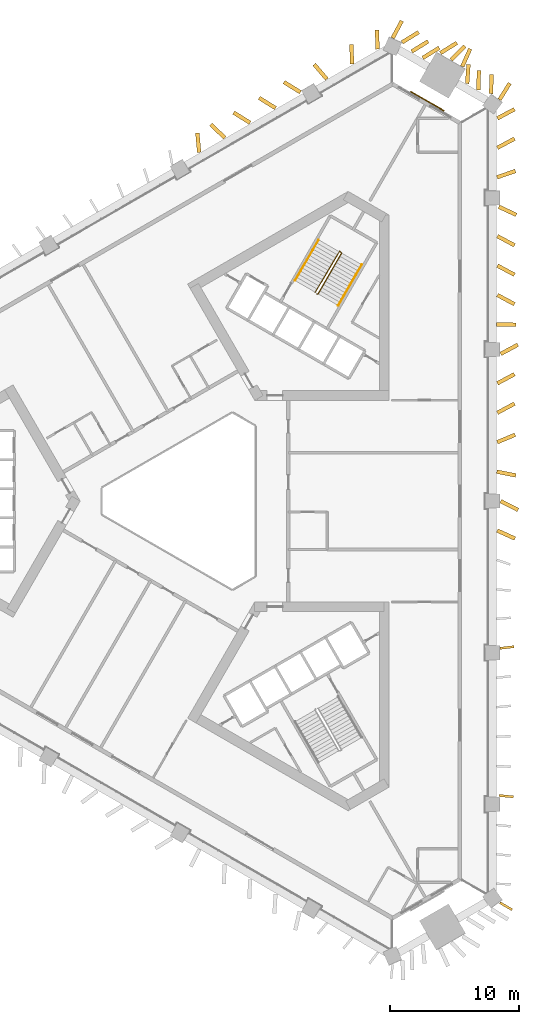
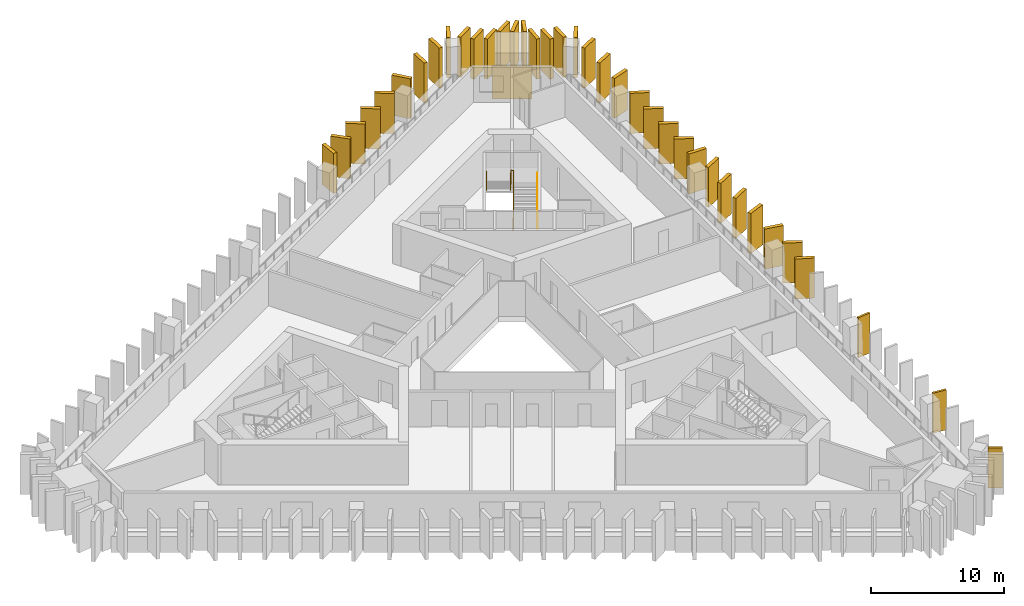
# One storey, part 10 of 10: 37 shading devices, 3 railings, 1 covering.
"""IFC4 building model written with IfcOpenShell, lengths in metres."""

from ifc_helpers import new_model, si_unit, direction, frame, frame_2d, origin, origin_2d, place, context, subcontext, project, spatial, rectangle, circle, extrude, material, layer, layer_set, type_object, element, save


model = new_model("IFC4")

# Units and contexts
model_context = context("Model", 3, precision=1e-05, world=origin(), true_north=direction((0.0, 1.0)))
body_context = subcontext(model_context, "Body", "Model", "MODEL_VIEW")
ifc_project = project(units=[si_unit("LENGTHUNIT", "METRE"), si_unit("AREAUNIT", "SQUARE_METRE"), si_unit("VOLUMEUNIT", "CUBIC_METRE"), si_unit("PLANEANGLEUNIT", "RADIAN"), si_unit("MASSUNIT", "GRAM", prefix="KILO")], contexts=[model_context])

# Site, building, storey
site_placement = place(None, origin())
site = spatial("IfcSite", under=ifc_project, at=site_placement, CompositionType="ELEMENT")
building_placement = place(site_placement, origin())
building = spatial("IfcBuilding", under=site, at=building_placement, Name="Jabali Bay Hotel Tower and Convention Centre", CompositionType="ELEMENT")
storey_placement = place(building_placement, frame((0.0, 0.0, 86.89990234375)))
storey = spatial("IfcBuildingStorey", under=building, at=storey_placement, Name="L20", CompositionType="ELEMENT", Elevation=86.89990234375)

# Shading devices
ifc_material_1 = material(Name="Precast concrete C60", Category="concrete")
ifc_layer_1 = layer(ifc_material_1, 0.179931640625)
ifc_layer_set_1 = layer_set([ifc_layer_1], Name="Precast concrete C60")
shading_device_type_1 = type_object("IfcShadingDeviceType", Name="Precast fin 3680 x 1100", PredefinedType="USERDEFINED", material=ifc_layer_set_1)
for number, where, z_axis, x_axis, name in (
    (1, (98.40185546875, 57.234619140625, 0.010009765625), (0.0, 0.0, 1.0), (0.995263116991, -0.097217940509, 0.0), "Fin L20 003"),
    (2, (98.46142578125, 68.6171875, 0.010009765625), (0.0, 0.0, 1.0), (0.99349613467, 0.113865843853, 0.0), "Fin L20 008"),
    (3, (98.453125, 48.947998046875, 0.010009765625), (0.0, 0.0, 1.0), (0.866104278045, -0.499863360881, 0.0), "Fin L20 108"),
):
    element("IfcShadingDevice", number, at=place(storey_placement, frame(where, z_axis=z_axis, x_axis=x_axis)), inside=storey, type_object=shading_device_type_1, Name=name, ObjectType="FIN", PredefinedType="USERDEFINED", context=body_context, shape_type="SweptSolid", body=[
        extrude(rectangle(XDim=1.099853515625, YDim=0.179931640625, at=frame_2d((0.5498046875, 0.0))), origin(), (0.0, 0.0, 1.0), 3.68017578125),
    ])
ifc_layer_2 = layer(ifc_material_1, 0.300048828125)
ifc_layer_set_2 = layer_set([ifc_layer_2], Name="Precast concrete C60")
shading_device_type_2 = type_object("IfcShadingDeviceType", Name="Precast fin 3680 x 1500", PredefinedType="USERDEFINED", material=ifc_layer_set_2)
shading_device_1_placement = place(storey_placement, frame((98.255615234375, 77.723388671875, 0.010009765625), z_axis=(0.0, 0.0, 1.0), x_axis=(0.910622699958, -0.413238790919, 0.0)))
element("IfcShadingDevice", 4, at=shading_device_1_placement, inside=storey, type_object=shading_device_type_2, Name="Fin L20 012", ObjectType="FIN", PredefinedType="USERDEFINED", context=body_context, shape_type="SweptSolid", body=[
    extrude(rectangle(XDim=1.5, YDim=0.300048828125, at=frame_2d((0.75, 0.0))), origin(), (0.0, 0.0, 1.0), 3.68017578125),
])
shading_device_2_placement = place(storey_placement, frame((98.51953125, 80.0, 0.010009765625), z_axis=(0.0, 0.0, 1.0), x_axis=(0.890254302977, -0.455463803205, 0.0)))
element("IfcShadingDevice", 5, at=shading_device_2_placement, inside=storey, type_object=shading_device_type_2, Name="Fin L20 013", ObjectType="FIN", PredefinedType="USERDEFINED", context=body_context, shape_type="SweptSolid", body=[
    extrude(rectangle(XDim=1.499755859375, YDim=0.300048828125, at=frame_2d((0.75, 0.0))), origin(), (0.0, 0.0, 1.0), 3.68017578125),
])
for number, where, z_axis, x_axis, name in (
    (6, (98.222900390625, 82.276611328125, 0.010009765625), (0.0, 0.0, 1.0), (0.980836507587, -0.194832608626, 0.0), "Fin L20 014"),
    (7, (98.25146484375, 84.552978515625, 0.010009765625), (0.0, 0.0, 1.0), (0.922618842223, 0.38571293986, 0.0), "Fin L20 015"),
    (8, (98.2646484375, 86.82958984375, 0.010009765625), (0.0, 0.0, 1.0), (0.881233033926, 0.472682070654, 0.0), "Fin L20 016"),
):
    element("IfcShadingDevice", number, at=place(storey_placement, frame(where, z_axis=z_axis, x_axis=x_axis)), inside=storey, type_object=shading_device_type_2, Name=name, ObjectType="FIN", PredefinedType="USERDEFINED", context=body_context, shape_type="SweptSolid", body=[
        extrude(rectangle(XDim=1.5, YDim=0.300048828125, at=frame_2d((0.75, 0.0))), origin(), (0.0, 0.0, 1.0), 3.68017578125),
    ])
shading_device_3_placement = place(storey_placement, frame((98.2646484375, 89.106201171875, 0.010009765625), z_axis=(0.0, 0.0, 1.0), x_axis=(0.881128837898, 0.472876274542, 0.0)))
element("IfcShadingDevice", 9, at=shading_device_3_placement, inside=storey, type_object=shading_device_type_2, Name="Fin L20 017", ObjectType="FIN", PredefinedType="USERDEFINED", context=body_context, shape_type="SweptSolid", body=[
    extrude(rectangle(XDim=1.499755859375, YDim=0.300048828125, at=frame_2d((0.75, 0.0))), origin(), (0.0, 0.0, 1.0), 3.68017578125),
])
for number, where, z_axis, x_axis, name in (
    (10, (98.52197265625, 91.3828125, 0.010009765625), (0.0, 0.0, 1.0), (0.881097417694, 0.472934816368, 0.0), "Fin L20 018"),
    (11, (98.195556640625, 93.6591796875, 0.010009765625), (0.0, 0.0, 1.0), (0.999917345229, -0.012857010136, 0.0), "Fin L20 019"),
):
    element("IfcShadingDevice", number, at=place(storey_placement, frame(where, z_axis=z_axis, x_axis=x_axis)), inside=storey, type_object=shading_device_type_2, Name=name, ObjectType="FIN", PredefinedType="USERDEFINED", context=body_context, shape_type="SweptSolid", body=[
        extrude(rectangle(XDim=1.500244140625, YDim=0.300048828125, at=frame_2d((0.75, 0.0))), origin(), (0.0, 0.0, 1.0), 3.68017578125),
    ])
for number, where, z_axis, x_axis, name in (
    (12, (98.2646484375, 95.935791015625, 0.010009765625), (0.0, 0.0, 1.0), (0.881061009287, -0.473002640493, 0.0), "Fin L20 020"),
    (13, (98.2646484375, 98.21240234375, 0.010009765625), (0.0, 0.0, 1.0), (0.881061009287, -0.473002640493, 0.0), "Fin L20 021"),
    (14, (98.2646484375, 100.48876953125, 0.010009765625), (0.0, 0.0, 1.0), (0.881061009287, -0.473002640493, 0.0), "Fin L20 022"),
    (15, (98.373046875, 102.765380859375, 0.010009765625), (0.0, 0.0, 1.0), (0.905128312862, -0.425138491853, 0.0), "Fin L20 023"),
    (16, (98.242431640625, 105.0419921875, 0.010009765625), (0.0, 0.0, 1.0), (0.945863162252, 0.324565676395, 0.0), "Fin L20 024"),
    (17, (98.2646484375, 107.318603515625, 0.010009765625), (0.0, 0.0, 1.0), (0.881061009287, 0.473002640493, 0.0), "Fin L20 025"),
    (18, (98.2646484375, 109.594970703125, 0.010009765625), (0.0, 0.0, 1.0), (0.881061009287, 0.473002640493, 0.0), "Fin L20 026"),
    (19, (97.772705078125, 111.503173828125, 0.010009765625), (0.0, 0.0, 1.0), (0.030924788426, 0.999521714352, 0.0), "Fin L20 027"),
    (20, (96.790771484375, 111.78759765625, 0.010009765625), (0.0, 0.0, 1.0), (0.030924788426, 0.999521714352, 0.0), "Fin L20 028"),
):
    element("IfcShadingDevice", number, at=place(storey_placement, frame(where, z_axis=z_axis, x_axis=x_axis)), inside=storey, type_object=shading_device_type_2, Name=name, ObjectType="FIN", PredefinedType="USERDEFINED", context=body_context, shape_type="SweptSolid", body=[
        extrude(rectangle(XDim=1.5, YDim=0.300048828125, at=frame_2d((0.75, 0.0))), origin(), (0.0, 0.0, 1.0), 3.68017578125),
    ])
shading_device_4_placement = place(storey_placement, frame((95.9287109375, 112.279296875, 0.010009765625), z_axis=(0.0, 0.0, 1.0), x_axis=(0.068841188913, 0.997627631288, 0.0)))
element("IfcShadingDevice", 21, at=shading_device_4_placement, inside=storey, type_object=shading_device_type_2, Name="Fin L20 029", ObjectType="FIN", PredefinedType="USERDEFINED", context=body_context, shape_type="SweptSolid", body=[
    extrude(rectangle(XDim=1.500244140625, YDim=0.300048828125, at=frame_2d((0.75, 0.0))), origin(), (0.0, 0.0, 1.0), 3.68017578125),
])
for number, where, z_axis, x_axis, name in (
    (22, (95.550048828125, 113.608642578125, 0.010009765625), (0.0, 0.0, 1.0), (0.408658665058, 0.912687293367, 0.0), "Fin L20 030"),
    (23, (94.7021484375, 114.125244140625, 0.010009765625), (0.0, 0.0, 1.0), (0.706862600449, 0.707350877631, 0.0), "Fin L20 031"),
):
    element("IfcShadingDevice", number, at=place(storey_placement, frame(where, z_axis=z_axis, x_axis=x_axis)), inside=storey, type_object=shading_device_type_2, Name=name, ObjectType="FIN", PredefinedType="USERDEFINED", context=body_context, shape_type="SweptSolid", body=[
        extrude(rectangle(XDim=1.5, YDim=0.300048828125, at=frame_2d((0.75, 0.0))), origin(), (0.0, 0.0, 1.0), 3.68017578125),
    ])
for number, where, z_axis, x_axis, name in (
    (24, (93.858642578125, 114.6494140625, 0.010009765625), (0.0, 0.0, 1.0), (0.850185364679, 0.526483471427, 0.0), "Fin L20 032"),
    (25, (92.492919921875, 114.268798828125, 0.010009765625), (0.0, 0.0, 1.0), (0.850185364679, 0.526483471427, 0.0), "Fin L20 033"),
    (26, (91.63330078125, 114.76513671875, 0.010009765625), (0.0, 0.0, 1.0), (0.850185364679, 0.526483471427, 0.0), "Fin L20 034"),
):
    element("IfcShadingDevice", number, at=place(storey_placement, frame(where, z_axis=z_axis, x_axis=x_axis)), inside=storey, type_object=shading_device_type_2, Name=name, ObjectType="FIN", PredefinedType="USERDEFINED", context=body_context, shape_type="SweptSolid", body=[
        extrude(rectangle(XDim=1.500244140625, YDim=0.300048828125, at=frame_2d((0.75, 0.0))), origin(), (0.0, 0.0, 1.0), 3.68017578125),
    ])
shading_device_5_placement = place(storey_placement, frame((90.896240234375, 115.473388671875, 0.010009765625), z_axis=(0.0, 0.0, 1.0), x_axis=(0.850213105497, 0.52643867187, 0.0)))
element("IfcShadingDevice", 27, at=shading_device_5_placement, inside=storey, type_object=shading_device_type_2, Name="Fin L20 035", ObjectType="FIN", PredefinedType="USERDEFINED", context=body_context, shape_type="SweptSolid", body=[
    extrude(rectangle(XDim=1.499755859375, YDim=0.300048828125, at=frame_2d((0.75, 0.0))), origin(), (0.0, 0.0, 1.0), 3.68017578125),
])
for number, where, z_axis, x_axis, name in (
    (28, (88.997802734375, 114.9453125, 0.010009765625), (0.0, 0.0, 1.0), (-0.030924788426, 0.999521714352, 0.0), "Fin L20 036"),
    (29, (87.026123046875, 113.806884765625, 0.010009765625), (0.0, 0.0, 1.0), (-0.030924788426, 0.999521714352, 0.0), "Fin L20 037"),
    (30, (85.076416015625, 112.631103515625, 0.010009765625), (0.0, 0.0, 1.0), (-0.649866080159, 0.76004873387, 0.0), "Fin L20 038"),
):
    element("IfcShadingDevice", number, at=place(storey_placement, frame(where, z_axis=z_axis, x_axis=x_axis)), inside=storey, type_object=shading_device_type_2, Name=name, ObjectType="FIN", PredefinedType="USERDEFINED", context=body_context, shape_type="SweptSolid", body=[
        extrude(rectangle(XDim=1.5, YDim=0.300048828125, at=frame_2d((0.75, 0.0))), origin(), (0.0, 0.0, 1.0), 3.68017578125),
    ])
for number, where, z_axis, x_axis, name in (
    (31, (83.0341796875, 111.615234375, 0.010009765625), (0.0, 0.0, 1.0), (-0.850022224732, 0.526746824824, 0.0), "Fin L20 039"),
    (32, (81.111572265625, 110.39208984375, 0.010009765625), (0.0, 0.0, 1.0), (-0.849521940973, 0.527553288119, 0.0), "Fin L20 040"),
):
    element("IfcShadingDevice", number, at=place(storey_placement, frame(where, z_axis=z_axis, x_axis=x_axis)), inside=storey, type_object=shading_device_type_2, Name=name, ObjectType="FIN", PredefinedType="USERDEFINED", context=body_context, shape_type="SweptSolid", body=[
        extrude(rectangle(XDim=1.499755859375, YDim=0.300048828125, at=frame_2d((0.75, 0.0))), origin(), (0.0, 0.0, 1.0), 3.68017578125),
    ])
shading_device_6_placement = place(storey_placement, frame((79.140380859375, 109.25341796875, 0.010009765625), z_axis=(0.0, 0.0, 1.0), x_axis=(-0.847705554742, 0.530467051249, 0.0)))
element("IfcShadingDevice", 33, at=shading_device_6_placement, inside=storey, type_object=shading_device_type_2, Name="Fin L20 041", ObjectType="FIN", PredefinedType="USERDEFINED", context=body_context, shape_type="SweptSolid", body=[
    extrude(rectangle(XDim=1.5, YDim=0.300048828125, at=frame_2d((0.75, 0.0))), origin(), (0.0, 0.0, 1.0), 3.68017578125),
])
shading_device_7_placement = place(storey_placement, frame((77.18359375, 108.089599609375, 0.010009765625), z_axis=(0.0, 0.0, 1.0), x_axis=(-0.717525669112, 0.696532062554, 0.0)))
element("IfcShadingDevice", 34, at=shading_device_7_placement, inside=storey, type_object=shading_device_type_2, Name="Fin L20 042", ObjectType="FIN", PredefinedType="USERDEFINED", context=body_context, shape_type="SweptSolid", body=[
    extrude(rectangle(XDim=1.500244140625, YDim=0.300048828125, at=frame_2d((0.75, 0.0))), origin(), (0.0, 0.0, 1.0), 3.68017578125),
])
for number, where, z_axis, x_axis, name in (
    (35, (75.200927734375, 106.970458984375, 0.010009765625), (0.0, 0.0, 1.0), (-0.090168863568, 0.995926491285, 0.0), "Fin L20 043"),
    (36, (98.431640625, 111.03955078125, 0.010009765625), (0.0, 0.0, 1.0), (0.526556326097, 0.850140244576, 0.0), "Fin L20 109"),
    (37, (90.165283203125, 115.812255859375, 0.010009765625), (0.0, 0.0, 1.0), (0.473002640493, 0.881061009287, 0.0), "Fin L20 110"),
):
    element("IfcShadingDevice", number, at=place(storey_placement, frame(where, z_axis=z_axis, x_axis=x_axis)), inside=storey, type_object=shading_device_type_2, Name=name, ObjectType="FIN", PredefinedType="USERDEFINED", context=body_context, shape_type="SweptSolid", body=[
        extrude(rectangle(XDim=1.5, YDim=0.300048828125, at=frame_2d((0.75, 0.0))), origin(), (0.0, 0.0, 1.0), 3.68017578125),
    ])

# Covering
ifc_material_2 = material(Name="Precast concrete C40/50", Category="concrete")
ifc_layer_3 = layer(ifc_material_2, 0.080078125)
ifc_layer_set_3 = layer_set([ifc_layer_3], Name="Precast concrete C40/50")
covering_type = type_object("IfcCoveringType", Name="Relief panel 3000 x 3000", PredefinedType="CLADDING", material=ifc_layer_set_3)
covering_placement = place(storey_placement, frame((92.853271484375, 110.922607421875, 0.10009765625), z_axis=(0.0, 0.0, 1.0), x_axis=(0.86602542965, -0.499999955199, 0.0)))
element("IfcCovering", 38, at=covering_placement, inside=storey, type_object=covering_type, Name="Relief panel L20", PredefinedType="CLADDING", context=body_context, shape_type="SweptSolid", body=[
    extrude(rectangle(XDim=3.0, YDim=0.080078125, at=origin_2d()), origin(), (0.0, 0.0, 1.0), 3.0),
])

# Railings
ifc_material_3 = material(Name="Steel Q355B", Category="steel")
railing_type_1 = type_object("IfcRailingType", Name="Stair guard 1100", PredefinedType="GUARDRAIL", material=ifc_material_3)
railing_1_placement = place(storey_placement, frame((84.329833984375, 96.010009765625, 0.0)))
element("IfcRailing", 39, at=railing_1_placement, inside=storey, type_object=railing_type_1, Name="L20 ST2 stair guard 1", PredefinedType="GUARDRAIL", context=body_context, shape_type="SweptSolid", body=[
    extrude(circle(Radius=0.02392578125, at=origin_2d()), frame((0.0, 0.0, 1.076171875), z_axis=(0.455547195254, 0.122021570157, 0.88180921367), x_axis=(-0.258736085224, 0.965948051503, 0.0)), (0.0, 0.0, 1.0), 0.150146484375),
    extrude(circle(Radius=0.02392578125, at=origin_2d()), frame((0.068359375, 0.018310546875, 1.20849609375), z_axis=(0.452190331055, 0.783190014029, 0.426775475427), x_axis=(-0.866018046521, 0.500012742938, 0.0)), (0.0, 0.0, 1.0), 4.02490234375),
    extrude(circle(Radius=0.02392578125, at=origin_2d()), frame((1.888427734375, 3.170654296875, 2.92626953125), z_axis=(-0.718850276695, 0.695164929852, 0.0), x_axis=(-0.695164929852, -0.718850276695, 0.0)), (0.0, 0.0, 1.0), 0.2060546875),
    extrude(circle(Radius=0.02392578125, at=origin_2d()), frame((1.740234375, 3.31396484375, 2.92626953125), z_axis=(-0.457445338502, -0.768046879266, 0.448160410493), x_axis=(0.859157857954, -0.511710636118, 0.0)), (0.0, 0.0, 1.0), 4.128173828125),
    extrude(circle(Radius=0.02099609375, at=origin_2d()), origin(), (0.0, 0.0, 1.0), 1.052001953125),
    extrude(circle(Radius=0.02099609375, at=origin_2d()), frame((0.068359375, 0.018310546875, 0.13232421875)), (0.0, 0.0, 1.0), 1.052001953125),
    extrude(circle(Radius=0.02099609375, at=origin_2d()), frame((0.5234375, 0.806396484375, 0.561767578125)), (0.0, 0.0, 1.0), 1.052001953125),
    extrude(circle(Radius=0.02099609375, at=origin_2d()), frame((0.978515625, 1.594482421875, 0.9912109375)), (0.0, 0.0, 1.0), 1.052001953125),
    extrude(circle(Radius=0.02099609375, at=origin_2d()), frame((1.433349609375, 2.382568359375, 1.420654296875)), (0.0, 0.0, 1.0), 1.052001953125),
    extrude(circle(Radius=0.02099609375, at=origin_2d()), frame((1.888427734375, 3.170654296875, 1.85009765625)), (0.0, 0.0, 1.0), 1.052001953125),
    extrude(circle(Radius=0.02099609375, at=origin_2d()), frame((1.740234375, 3.31396484375, 1.85009765625)), (0.0, 0.0, 1.0), 1.052001953125),
    extrude(circle(Radius=0.02099609375, at=origin_2d()), frame((1.26806640625, 2.521240234375, 2.3125)), (0.0, 0.0, 1.0), 1.052001953125),
    extrude(circle(Radius=0.02099609375, at=origin_2d()), frame((0.7958984375, 1.728515625, 2.775146484375)), (0.0, 0.0, 1.0), 1.052001953125),
    extrude(circle(Radius=0.02099609375, at=origin_2d()), frame((0.323974609375, 0.93603515625, 3.23779296875)), (0.0, 0.0, 1.0), 1.052001953125),
    extrude(circle(Radius=0.02099609375, at=origin_2d()), frame((-0.148193359375, 0.143310546875, 3.7001953125)), (0.0, 0.0, 1.0), 1.052001953125),
])
railing_type_2 = type_object("IfcRailingType", Name="Stair handrail 900", PredefinedType="HANDRAIL", material=ifc_material_3)
railing_2_placement = place(storey_placement, frame((85.95703125, 95.128173828125, 0.13232421875)))
element("IfcRailing", 40, at=railing_2_placement, inside=storey, type_object=railing_type_2, Name="L20 ST2 stair handrail 1", PredefinedType="HANDRAIL", context=body_context, shape_type="SweptSolid", body=[
    extrude(circle(Radius=0.02392578125, at=origin_2d()), frame((0.0, 0.0, 0.8759765625), z_axis=(0.452190331055, 0.783190014029, 0.426775475427), x_axis=(-0.866018046521, 0.500012742938, 0.0)), (0.0, 0.0, 1.0), 4.02490234375),
    extrude(circle(Radius=0.02099609375, at=origin_2d()), origin(), (0.0, 0.0, 1.0), 0.851806640625),
    extrude(circle(Radius=0.02099609375, at=origin_2d()), frame((0.455078125, 0.7880859375, 0.429443359375)), (0.0, 0.0, 1.0), 0.851806640625),
    extrude(circle(Radius=0.02099609375, at=origin_2d()), frame((0.91015625, 1.576171875, 0.85888671875)), (0.0, 0.0, 1.0), 0.851806640625),
    extrude(circle(Radius=0.02099609375, at=origin_2d()), frame((1.364990234375, 2.3642578125, 1.288330078125)), (0.0, 0.0, 1.0), 0.851806640625),
    extrude(circle(Radius=0.02099609375, at=origin_2d()), frame((1.820068359375, 3.15234375, 1.7177734375)), (0.0, 0.0, 1.0), 0.851806640625),
])
railing_3_placement = place(storey_placement, frame((84.44287109375, 100.20556640625, 1.982177734375)))
element("IfcRailing", 41, at=railing_3_placement, inside=storey, type_object=railing_type_2, Name="L20 ST2 stair handrail 2", PredefinedType="HANDRAIL", context=body_context, shape_type="SweptSolid", body=[
    extrude(circle(Radius=0.02392578125, at=origin_2d()), frame((0.0, 0.0, 0.8759765625), z_axis=(-0.45217862506, -0.783169739339, 0.426825081763), x_axis=(0.866018046521, -0.500012742938, 0.0)), (0.0, 0.0, 1.0), 4.025146484375),
    extrude(circle(Radius=0.02099609375, at=origin_2d()), origin(), (0.0, 0.0, 1.0), 0.851806640625),
    extrude(circle(Radius=0.02099609375, at=origin_2d()), frame((-0.455078125, -0.7880859375, 0.429443359375)), (0.0, 0.0, 1.0), 0.851806640625),
    extrude(circle(Radius=0.02099609375, at=origin_2d()), frame((-0.91015625, -1.576171875, 0.85888671875)), (0.0, 0.0, 1.0), 0.851806640625),
    extrude(circle(Radius=0.02099609375, at=origin_2d()), frame((-1.364990234375, -2.3642578125, 1.28857421875)), (0.0, 0.0, 1.0), 0.851806640625),
    extrude(circle(Radius=0.02099609375, at=origin_2d()), frame((-1.820068359375, -3.15234375, 1.718017578125)), (0.0, 0.0, 1.0), 0.851806640625),
])

save(model, "model.ifc")
